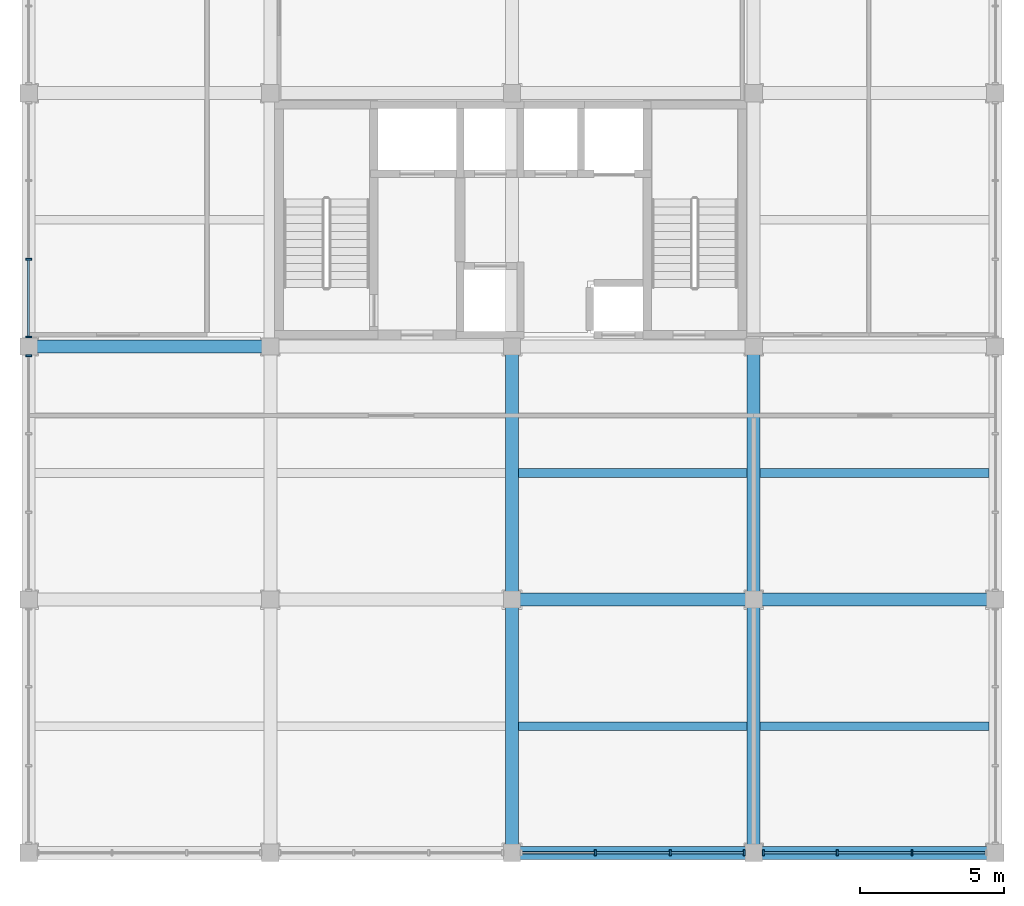
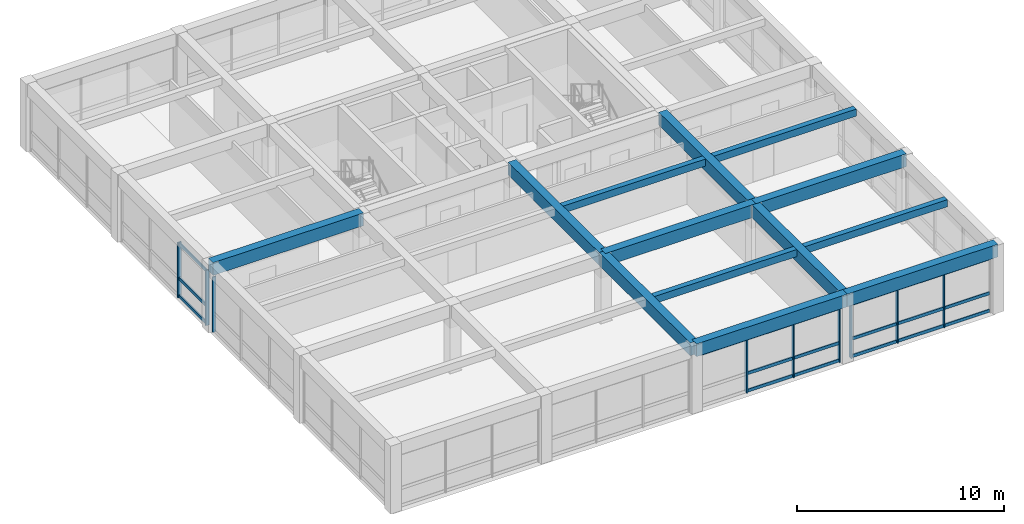
# One storey, part 3 of 14: 28 members, 13 beams, 4 elements without a shape of their own.
"""IFC4 building model written with IfcOpenShell, lengths in metres."""

from ifc_helpers import new_model, si_unit, direction, frame, origin, origin_2d, place, context, subcontext, project, spatial, rectangle, extrude, material, material_profile, profile_set, type_object, element, aggregate, save


model = new_model("IFC4")

# Units and contexts
model_context = context("Model", 3, precision=1e-05, world=origin(), true_north=direction((0.0, 1.0)))
body_context = subcontext(model_context, "Body", "Model", "MODEL_VIEW")
ifc_project = project(units=[si_unit("LENGTHUNIT", "METRE"), si_unit("AREAUNIT", "SQUARE_METRE"), si_unit("VOLUMEUNIT", "CUBIC_METRE"), si_unit("PLANEANGLEUNIT", "RADIAN"), si_unit("MASSUNIT", "GRAM", prefix="KILO")], contexts=[model_context])

# Site, building, storey
site_placement = place(None, origin())
site = spatial("IfcSite", under=ifc_project, at=site_placement, CompositionType="ELEMENT")
building_placement = place(site_placement, origin())
building = spatial("IfcBuilding", under=site, at=building_placement, Name="Kemercrest Conservatory and Botanical Centre", CompositionType="ELEMENT")
storey_placement = place(building_placement, frame((0.0, 0.0, 59.800048828125)))
storey = spatial("IfcBuildingStorey", under=building, at=storey_placement, Name="L15", CompositionType="ELEMENT", Elevation=59.800048828125)

# Beams
ifc_material_1 = material(Name="Concrete C40/50", Category="concrete")
ifc_material_profile_1 = material_profile(ifc_material_1, rectangle(XDim=0.449951171875, YDim=0.75, at=origin_2d()), Name="RC 450x750")
ifc_profile_set_1 = profile_set([ifc_material_profile_1], Name="Concrete C40/50")
beam_type_1 = type_object("IfcBeamType", Name="BM-RC75", PredefinedType="BEAM", material=ifc_profile_set_1)
beam_1_placement = place(storey_placement, frame((159.199951171875, 96.0, 3.625), z_axis=(1.0, 0.0, 0.0), x_axis=(0.0, 1.0, 0.0)))
element("IfcBeam", 1, at=beam_1_placement, inside=storey, type_object=beam_type_1, Name="V4-L16 beam BM-RC75 L/19-20", PredefinedType="BEAM", context=body_context, shape_type="SweptSolid", body=[
    extrude(rectangle(XDim=0.449951171875, YDim=0.75, at=origin_2d()), origin(), (0.0, 0.0, 1.0), 8.400146484375),
])
beam_2_placement = place(storey_placement, frame((167.60009765625, 96.0, 3.625), z_axis=(1.0, 0.0, 0.0), x_axis=(0.0, 1.0, 0.0)))
element("IfcBeam", 2, at=beam_2_placement, inside=storey, type_object=beam_type_1, Name="V4-L16 beam BM-RC75 L/20-21", PredefinedType="BEAM", context=body_context, shape_type="SweptSolid", body=[
    extrude(rectangle(XDim=0.449951171875, YDim=0.75, at=origin_2d()), origin(), (0.0, 0.0, 1.0), 8.39990234375),
])
beam_3_placement = place(storey_placement, frame((142.39990234375, 104.800048828125, 3.625), z_axis=(1.0, 0.0, 0.0), x_axis=(0.0, 1.0, 0.0)))
element("IfcBeam", 3, at=beam_3_placement, inside=storey, type_object=beam_type_1, Name="V4-L16 beam BM-RC75 M/17-18", PredefinedType="BEAM", context=body_context, shape_type="SweptSolid", body=[
    extrude(rectangle(XDim=0.449951171875, YDim=0.75, at=origin_2d()), origin(), (0.0, 0.0, 1.0), 8.400146484375),
])
for number, where, z_axis, x_axis, name in (
    (4, (159.199951171875, 87.199951171875, 3.625), (0.0, 1.0, 0.0), (-1.0, 0.0, 0.0), "V4-L16 beam BM-RC75 19/K-L"),
    (5, (159.199951171875, 96.0, 3.625), (0.0, 1.0, 0.0), (-1.0, 0.0, 0.0), "V4-L16 beam BM-RC75 19/L-M"),
    (6, (167.60009765625, 87.199951171875, 3.625), (0.0, 1.0, 0.0), (-1.0, 0.0, 0.0), "V4-L16 beam BM-RC75 20/K-L"),
    (7, (167.60009765625, 96.0, 3.625), (0.0, 1.0, 0.0), (-1.0, 0.0, 0.0), "V4-L16 beam BM-RC75 20/L-M"),
):
    element("IfcBeam", number, at=place(storey_placement, frame(where, z_axis=z_axis, x_axis=x_axis)), inside=storey, type_object=beam_type_1, Name=name, PredefinedType="BEAM", context=body_context, shape_type="SweptSolid", body=[
        extrude(rectangle(XDim=0.449951171875, YDim=0.75, at=origin_2d()), origin(), (0.0, 0.0, 1.0), 8.800048828125),
    ])

# Curtain wall, members
ifc_material_2 = material(Name="Thermally broken aluminium and triple low-e glazing", Category="aluminium")
curtain_wall_type_1 = type_object("IfcCurtainWallType", Name="CW-28", PredefinedType="USERDEFINED", material=ifc_material_2)
curtain_wall_1_placement = place(storey_placement, origin())
curtain_wall_1 = element("IfcCurtainWall", 8, at=curtain_wall_1_placement, inside=storey, type_object=curtain_wall_type_1, Name="Unitised curtain wall CW-28 (CW:L15:V4-147)", ObjectType="UNITISED CURTAIN WALL", PredefinedType="USERDEFINED")
ifc_material_3 = material(Name="Thermally broken anodized aluminium 6063-T6", Category="aluminium")
ifc_material_profile_2 = material_profile(ifc_material_3, rectangle(XDim=0.199951171875, YDim=0.06494140625, at=origin_2d()), Name="AL MULLION 65x200")
ifc_profile_set_2 = profile_set([ifc_material_profile_2], Name="Thermally broken anodized aluminium 6063-T6")
member_type_1 = type_object("IfcMemberType", Name="CW-M200", PredefinedType="MULLION", material=ifc_profile_set_2)
member_1_placement = place(storey_placement, frame((162.098388671875, 87.199951171875, 0.0), z_axis=(0.0, 0.0, 1.0), x_axis=(0.0, 1.0, 0.0)))
member_1 = element("IfcMember", 9, at=member_1_placement, type_object=member_type_1, Name="CW-28 mullion 2", PredefinedType="MULLION", context=body_context, shape_type="SweptSolid", body=[
    extrude(rectangle(XDim=0.199951171875, YDim=0.06494140625, at=origin_2d()), origin(), (0.0, 0.0, 1.0), 3.2548828125),
])
member_2_placement = place(storey_placement, frame((164.70166015625, 87.199951171875, 0.0), z_axis=(0.0, 0.0, 1.0), x_axis=(0.0, 1.0, 0.0)))
member_2 = element("IfcMember", 10, at=member_2_placement, type_object=member_type_1, Name="CW-28 mullion 3", PredefinedType="MULLION", context=body_context, shape_type="SweptSolid", body=[
    extrude(rectangle(XDim=0.199951171875, YDim=0.06494140625, at=origin_2d()), origin(), (0.0, 0.0, 1.0), 3.2548828125),
])
member_3_placement = place(storey_placement, frame((167.2724609375, 87.199951171875, 0.0), z_axis=(0.0, 0.0, 1.0), x_axis=(0.0, 1.0, 0.0)))
member_3 = element("IfcMember", 11, at=member_3_placement, type_object=member_type_1, Name="CW-28 mullion 4", PredefinedType="MULLION", context=body_context, shape_type="SweptSolid", body=[
    extrude(rectangle(XDim=0.199951171875, YDim=0.06494140625, at=origin_2d()), origin(), (0.0, 0.0, 1.0), 3.2548828125),
])

curtain_wall_type_2 = type_object("IfcCurtainWallType", Name="CW-29", PredefinedType="USERDEFINED", material=ifc_material_2)
curtain_wall_2_placement = place(storey_placement, origin())
curtain_wall_2 = element("IfcCurtainWall", 12, at=curtain_wall_2_placement, inside=storey, type_object=curtain_wall_type_2, Name="Unitised curtain wall CW-29 (CW:L15:V4-148)", ObjectType="UNITISED CURTAIN WALL", PredefinedType="USERDEFINED")
member_4_placement = place(storey_placement, frame((167.927490234375, 87.199951171875, 0.0), z_axis=(0.0, 0.0, 1.0), x_axis=(0.0, 1.0, 0.0)))
member_4 = element("IfcMember", 13, at=member_4_placement, type_object=member_type_1, Name="CW-29 mullion 1", PredefinedType="MULLION", context=body_context, shape_type="SweptSolid", body=[
    extrude(rectangle(XDim=0.199951171875, YDim=0.06494140625, at=origin_2d()), origin(), (0.0, 0.0, 1.0), 3.2548828125),
])
member_5_placement = place(storey_placement, frame((170.498291015625, 87.199951171875, 0.0), z_axis=(0.0, 0.0, 1.0), x_axis=(0.0, 1.0, 0.0)))
member_5 = element("IfcMember", 14, at=member_5_placement, type_object=member_type_1, Name="CW-29 mullion 2", PredefinedType="MULLION", context=body_context, shape_type="SweptSolid", body=[
    extrude(rectangle(XDim=0.199951171875, YDim=0.06494140625, at=origin_2d()), origin(), (0.0, 0.0, 1.0), 3.2548828125),
])
member_6_placement = place(storey_placement, frame((173.1015625, 87.199951171875, 0.0), z_axis=(0.0, 0.0, 1.0), x_axis=(0.0, 1.0, 0.0)))
member_6 = element("IfcMember", 15, at=member_6_placement, type_object=member_type_1, Name="CW-29 mullion 3", PredefinedType="MULLION", context=body_context, shape_type="SweptSolid", body=[
    extrude(rectangle(XDim=0.199951171875, YDim=0.06494140625, at=origin_2d()), origin(), (0.0, 0.0, 1.0), 3.2548828125),
])

curtain_wall_type_3 = type_object("IfcCurtainWallType", Name="CW-09", PredefinedType="USERDEFINED", material=ifc_material_2)
curtain_wall_3_placement = place(storey_placement, origin())
curtain_wall_3 = element("IfcCurtainWall", 16, at=curtain_wall_3_placement, inside=storey, type_object=curtain_wall_type_3, Name="Unitised curtain wall CW-09 (CW:L15:V4-158)", ObjectType="UNITISED CURTAIN WALL", PredefinedType="USERDEFINED")
member_7_placement = place(storey_placement, frame((142.39990234375, 107.831787109375, 0.0), z_axis=(0.0, 0.0, 1.0), x_axis=(1.0, 0.0, 0.0)))
member_7 = element("IfcMember", 17, at=member_7_placement, type_object=member_type_1, Name="CW-09 mullion 3", PredefinedType="MULLION", context=body_context, shape_type="SweptSolid", body=[
    extrude(rectangle(XDim=0.199951171875, YDim=0.06494140625, at=origin_2d()), origin(), (0.0, 0.0, 1.0), 3.2548828125),
])
member_8_placement = place(storey_placement, frame((142.39990234375, 105.12744140625, 0.0), z_axis=(0.0, 0.0, 1.0), x_axis=(1.0, 0.0, 0.0)))
member_8 = element("IfcMember", 18, at=member_8_placement, type_object=member_type_1, Name="CW-09 mullion 4", PredefinedType="MULLION", context=body_context, shape_type="SweptSolid", body=[
    extrude(rectangle(XDim=0.199951171875, YDim=0.06494140625, at=origin_2d()), origin(), (0.0, 0.0, 1.0), 3.2548828125),
])

# Curtain wall, member
curtain_wall_type_4 = type_object("IfcCurtainWallType", Name="CW-10", PredefinedType="USERDEFINED", material=ifc_material_2)
curtain_wall_4_placement = place(storey_placement, origin())
curtain_wall_4 = element("IfcCurtainWall", 19, at=curtain_wall_4_placement, inside=storey, type_object=curtain_wall_type_4, Name="Unitised curtain wall CW-10 (CW:L15:V4-159)", ObjectType="UNITISED CURTAIN WALL", PredefinedType="USERDEFINED")
member_9_placement = place(storey_placement, frame((142.39990234375, 104.472412109375, 0.0), z_axis=(0.0, 0.0, 1.0), x_axis=(1.0, 0.0, 0.0)))
member_9 = element("IfcMember", 20, at=member_9_placement, type_object=member_type_1, Name="CW-10 mullion 1", PredefinedType="MULLION", context=body_context, shape_type="SweptSolid", body=[
    extrude(rectangle(XDim=0.199951171875, YDim=0.06494140625, at=origin_2d()), origin(), (0.0, 0.0, 1.0), 3.2548828125),
])
aggregate(curtain_wall_4, [member_9])

# Member
ifc_material_profile_3 = material_profile(ifc_material_3, rectangle(XDim=0.074951171875, YDim=0.179931640625, at=origin_2d()), Name="AL TRANSOM 75x180")
ifc_profile_set_3 = profile_set([ifc_material_profile_3], Name="Thermally broken anodized aluminium 6063-T6")
member_type_2 = type_object("IfcMemberType", Name="CW-T180", PredefinedType="USERDEFINED", material=ifc_profile_set_3)
member_10_placement = place(storey_placement, frame((159.56005859375, 87.199951171875, 3.1650390625), z_axis=(1.0, 0.0, 0.0), x_axis=(0.0, 1.0, 0.0)))
member_10 = element("IfcMember", 21, at=member_10_placement, type_object=member_type_2, Name="CW-28 transom 1.3", ObjectType="TRANSOM", PredefinedType="USERDEFINED", context=body_context, shape_type="SweptSolid", body=[
    extrude(rectangle(XDim=0.074951171875, YDim=0.179931640625, at=origin_2d()), origin(), (0.0, 0.0, 1.0), 2.505859375),
])

member_11_placement = place(storey_placement, frame((162.130859375, 87.199951171875, 0.08984375), z_axis=(1.0, 0.0, 0.0), x_axis=(0.0, 1.0, 0.0)))
member_11 = element("IfcMember", 22, at=member_11_placement, type_object=member_type_2, Name="CW-28 transom 2.1", ObjectType="TRANSOM", PredefinedType="USERDEFINED", context=body_context, shape_type="SweptSolid", body=[
    extrude(rectangle(XDim=0.074951171875, YDim=0.179931640625, at=origin_2d()), origin(), (0.0, 0.0, 1.0), 2.538330078125),
])

member_12_placement = place(storey_placement, frame((162.130859375, 87.199951171875, 1.119873046875), z_axis=(1.0, 0.0, 0.0), x_axis=(0.0, 1.0, 0.0)))
member_12 = element("IfcMember", 23, at=member_12_placement, type_object=member_type_2, Name="CW-28 transom 2.2", ObjectType="TRANSOM", PredefinedType="USERDEFINED", context=body_context, shape_type="SweptSolid", body=[
    extrude(rectangle(XDim=0.074951171875, YDim=0.179931640625, at=origin_2d()), origin(), (0.0, 0.0, 1.0), 2.538330078125),
])

member_13_placement = place(storey_placement, frame((162.130859375, 87.199951171875, 3.1650390625), z_axis=(1.0, 0.0, 0.0), x_axis=(0.0, 1.0, 0.0)))
member_13 = element("IfcMember", 24, at=member_13_placement, type_object=member_type_2, Name="CW-28 transom 2.3", ObjectType="TRANSOM", PredefinedType="USERDEFINED", context=body_context, shape_type="SweptSolid", body=[
    extrude(rectangle(XDim=0.074951171875, YDim=0.179931640625, at=origin_2d()), origin(), (0.0, 0.0, 1.0), 2.538330078125),
])

member_14_placement = place(storey_placement, frame((164.734130859375, 87.199951171875, 0.08984375), z_axis=(1.0, 0.0, 0.0), x_axis=(0.0, 1.0, 0.0)))
member_14 = element("IfcMember", 25, at=member_14_placement, type_object=member_type_2, Name="CW-28 transom 3.1", ObjectType="TRANSOM", PredefinedType="USERDEFINED", context=body_context, shape_type="SweptSolid", body=[
    extrude(rectangle(XDim=0.074951171875, YDim=0.179931640625, at=origin_2d()), origin(), (0.0, 0.0, 1.0), 2.505859375),
])

member_15_placement = place(storey_placement, frame((164.734130859375, 87.199951171875, 1.119873046875), z_axis=(1.0, 0.0, 0.0), x_axis=(0.0, 1.0, 0.0)))
member_15 = element("IfcMember", 26, at=member_15_placement, type_object=member_type_2, Name="CW-28 transom 3.2", ObjectType="TRANSOM", PredefinedType="USERDEFINED", context=body_context, shape_type="SweptSolid", body=[
    extrude(rectangle(XDim=0.074951171875, YDim=0.179931640625, at=origin_2d()), origin(), (0.0, 0.0, 1.0), 2.505859375),
])

member_16_placement = place(storey_placement, frame((164.734130859375, 87.199951171875, 3.1650390625), z_axis=(1.0, 0.0, 0.0), x_axis=(0.0, 1.0, 0.0)))
member_16 = element("IfcMember", 27, at=member_16_placement, type_object=member_type_2, Name="CW-28 transom 3.3", ObjectType="TRANSOM", PredefinedType="USERDEFINED", context=body_context, shape_type="SweptSolid", body=[
    extrude(rectangle(XDim=0.074951171875, YDim=0.179931640625, at=origin_2d()), origin(), (0.0, 0.0, 1.0), 2.505859375),
])

aggregate(curtain_wall_1, [member_1, member_2, member_3, member_10, member_11, member_12, member_13, member_14, member_15, member_16])

member_17_placement = place(storey_placement, frame((167.9599609375, 87.199951171875, 0.08984375), z_axis=(1.0, 0.0, 0.0), x_axis=(0.0, 1.0, 0.0)))
member_17 = element("IfcMember", 28, at=member_17_placement, type_object=member_type_2, Name="CW-29 transom 1.1", ObjectType="TRANSOM", PredefinedType="USERDEFINED", context=body_context, shape_type="SweptSolid", body=[
    extrude(rectangle(XDim=0.074951171875, YDim=0.179931640625, at=origin_2d()), origin(), (0.0, 0.0, 1.0), 2.505859375),
])

member_18_placement = place(storey_placement, frame((167.9599609375, 87.199951171875, 1.119873046875), z_axis=(1.0, 0.0, 0.0), x_axis=(0.0, 1.0, 0.0)))
member_18 = element("IfcMember", 29, at=member_18_placement, type_object=member_type_2, Name="CW-29 transom 1.2", ObjectType="TRANSOM", PredefinedType="USERDEFINED", context=body_context, shape_type="SweptSolid", body=[
    extrude(rectangle(XDim=0.074951171875, YDim=0.179931640625, at=origin_2d()), origin(), (0.0, 0.0, 1.0), 2.505859375),
])

member_19_placement = place(storey_placement, frame((167.9599609375, 87.199951171875, 3.1650390625), z_axis=(1.0, 0.0, 0.0), x_axis=(0.0, 1.0, 0.0)))
member_19 = element("IfcMember", 30, at=member_19_placement, type_object=member_type_2, Name="CW-29 transom 1.3", ObjectType="TRANSOM", PredefinedType="USERDEFINED", context=body_context, shape_type="SweptSolid", body=[
    extrude(rectangle(XDim=0.074951171875, YDim=0.179931640625, at=origin_2d()), origin(), (0.0, 0.0, 1.0), 2.505859375),
])

member_20_placement = place(storey_placement, frame((170.53076171875, 87.199951171875, 0.08984375), z_axis=(1.0, 0.0, 0.0), x_axis=(0.0, 1.0, 0.0)))
member_20 = element("IfcMember", 31, at=member_20_placement, type_object=member_type_2, Name="CW-29 transom 2.1", ObjectType="TRANSOM", PredefinedType="USERDEFINED", context=body_context, shape_type="SweptSolid", body=[
    extrude(rectangle(XDim=0.074951171875, YDim=0.179931640625, at=origin_2d()), origin(), (0.0, 0.0, 1.0), 2.538330078125),
])

member_21_placement = place(storey_placement, frame((170.53076171875, 87.199951171875, 1.119873046875), z_axis=(1.0, 0.0, 0.0), x_axis=(0.0, 1.0, 0.0)))
member_21 = element("IfcMember", 32, at=member_21_placement, type_object=member_type_2, Name="CW-29 transom 2.2", ObjectType="TRANSOM", PredefinedType="USERDEFINED", context=body_context, shape_type="SweptSolid", body=[
    extrude(rectangle(XDim=0.074951171875, YDim=0.179931640625, at=origin_2d()), origin(), (0.0, 0.0, 1.0), 2.538330078125),
])

member_22_placement = place(storey_placement, frame((170.53076171875, 87.199951171875, 3.1650390625), z_axis=(1.0, 0.0, 0.0), x_axis=(0.0, 1.0, 0.0)))
member_22 = element("IfcMember", 33, at=member_22_placement, type_object=member_type_2, Name="CW-29 transom 2.3", ObjectType="TRANSOM", PredefinedType="USERDEFINED", context=body_context, shape_type="SweptSolid", body=[
    extrude(rectangle(XDim=0.074951171875, YDim=0.179931640625, at=origin_2d()), origin(), (0.0, 0.0, 1.0), 2.538330078125),
])

member_23_placement = place(storey_placement, frame((173.13427734375, 87.199951171875, 0.08984375), z_axis=(1.0, 0.0, 0.0), x_axis=(0.0, 1.0, 0.0)))
member_23 = element("IfcMember", 34, at=member_23_placement, type_object=member_type_2, Name="CW-29 transom 3.1", ObjectType="TRANSOM", PredefinedType="USERDEFINED", context=body_context, shape_type="SweptSolid", body=[
    extrude(rectangle(XDim=0.074951171875, YDim=0.179931640625, at=origin_2d()), origin(), (0.0, 0.0, 1.0), 2.505615234375),
])

member_24_placement = place(storey_placement, frame((173.13427734375, 87.199951171875, 1.119873046875), z_axis=(1.0, 0.0, 0.0), x_axis=(0.0, 1.0, 0.0)))
member_24 = element("IfcMember", 35, at=member_24_placement, type_object=member_type_2, Name="CW-29 transom 3.2", ObjectType="TRANSOM", PredefinedType="USERDEFINED", context=body_context, shape_type="SweptSolid", body=[
    extrude(rectangle(XDim=0.074951171875, YDim=0.179931640625, at=origin_2d()), origin(), (0.0, 0.0, 1.0), 2.505615234375),
])

member_25_placement = place(storey_placement, frame((173.13427734375, 87.199951171875, 3.1650390625), z_axis=(1.0, 0.0, 0.0), x_axis=(0.0, 1.0, 0.0)))
member_25 = element("IfcMember", 36, at=member_25_placement, type_object=member_type_2, Name="CW-29 transom 3.3", ObjectType="TRANSOM", PredefinedType="USERDEFINED", context=body_context, shape_type="SweptSolid", body=[
    extrude(rectangle(XDim=0.074951171875, YDim=0.179931640625, at=origin_2d()), origin(), (0.0, 0.0, 1.0), 2.505615234375),
])

aggregate(curtain_wall_2, [member_4, member_5, member_6, member_17, member_18, member_19, member_20, member_21, member_22, member_23, member_24, member_25])

member_26_placement = place(storey_placement, frame((142.39990234375, 107.799072265625, 0.08984375), z_axis=(0.0, -1.0, 0.0), x_axis=(1.0, 0.0, 0.0)))
member_26 = element("IfcMember", 37, at=member_26_placement, type_object=member_type_2, Name="CW-09 transom 3.1", ObjectType="TRANSOM", PredefinedType="USERDEFINED", context=body_context, shape_type="SweptSolid", body=[
    extrude(rectangle(XDim=0.074951171875, YDim=0.179931640625, at=origin_2d()), origin(), (0.0, 0.0, 1.0), 2.63916015625),
])

member_27_placement = place(storey_placement, frame((142.39990234375, 107.799072265625, 1.119873046875), z_axis=(0.0, -1.0, 0.0), x_axis=(1.0, 0.0, 0.0)))
member_27 = element("IfcMember", 38, at=member_27_placement, type_object=member_type_2, Name="CW-09 transom 3.2", ObjectType="TRANSOM", PredefinedType="USERDEFINED", context=body_context, shape_type="SweptSolid", body=[
    extrude(rectangle(XDim=0.074951171875, YDim=0.179931640625, at=origin_2d()), origin(), (0.0, 0.0, 1.0), 2.63916015625),
])

member_28_placement = place(storey_placement, frame((142.39990234375, 107.799072265625, 3.1650390625), z_axis=(0.0, -1.0, 0.0), x_axis=(1.0, 0.0, 0.0)))
member_28 = element("IfcMember", 39, at=member_28_placement, type_object=member_type_2, Name="CW-09 transom 3.3", ObjectType="TRANSOM", PredefinedType="USERDEFINED", context=body_context, shape_type="SweptSolid", body=[
    extrude(rectangle(XDim=0.074951171875, YDim=0.179931640625, at=origin_2d()), origin(), (0.0, 0.0, 1.0), 2.63916015625),
])

aggregate(curtain_wall_3, [member_7, member_8, member_26, member_27, member_28])

# Beams
ifc_material_profile_4 = material_profile(ifc_material_1, rectangle(XDim=0.300048828125, YDim=0.419921875, at=origin_2d()), Name="RC 300x420")
ifc_profile_set_4 = profile_set([ifc_material_profile_4], Name="Concrete C40/50")
beam_type_2 = type_object("IfcBeamType", Name="JS-RC42", PredefinedType="JOIST", material=ifc_profile_set_4)
for number, where, z_axis, x_axis, name in (
    (40, (159.425048828125, 91.60009765625, 3.7900390625), (1.0, 0.0, 0.0), (0.0, 1.0, 0.0), "V4-L16 secondary joist JS-RC42"),
    (41, (167.824951171875, 91.60009765625, 3.7900390625), (1.0, 0.0, 0.0), (0.0, 1.0, 0.0), "V4-L16 secondary joist JS-RC42"),
    (42, (159.425048828125, 100.39990234375, 3.7900390625), (1.0, 0.0, 0.0), (0.0, 1.0, 0.0), "V4-L16 secondary joist JS-RC42"),
    (43, (167.824951171875, 100.39990234375, 3.7900390625), (1.0, 0.0, 0.0), (0.0, 1.0, 0.0), "V4-L16 secondary joist JS-RC42"),
):
    element("IfcBeam", number, at=place(storey_placement, frame(where, z_axis=z_axis, x_axis=x_axis)), inside=storey, type_object=beam_type_2, Name=name, PredefinedType="JOIST", context=body_context, shape_type="SweptSolid", body=[
        extrude(rectangle(XDim=0.300048828125, YDim=0.419921875, at=origin_2d()), origin(), (0.0, 0.0, 1.0), 7.949951171875),
    ])
ifc_material_profile_5 = material_profile(ifc_material_1, rectangle(XDim=0.449951171875, YDim=0.75, at=origin_2d()), Name="RC 450x750")
ifc_profile_set_5 = profile_set([ifc_material_profile_5], Name="Concrete C40/50")
beam_type_3 = type_object("IfcBeamType", Name="SP-RC75", PredefinedType="SPANDREL", material=ifc_profile_set_5)
beam_4_placement = place(storey_placement, frame((159.199951171875, 87.199951171875, 3.625), z_axis=(1.0, 0.0, 0.0), x_axis=(0.0, 1.0, 0.0)))
element("IfcBeam", 44, at=beam_4_placement, inside=storey, type_object=beam_type_3, Name="V4-L16 beam SP-RC75 K/19-20", PredefinedType="SPANDREL", context=body_context, shape_type="SweptSolid", body=[
    extrude(rectangle(XDim=0.449951171875, YDim=0.75, at=origin_2d()), origin(), (0.0, 0.0, 1.0), 8.400146484375),
])
beam_5_placement = place(storey_placement, frame((167.60009765625, 87.199951171875, 3.625), z_axis=(1.0, 0.0, 0.0), x_axis=(0.0, 1.0, 0.0)))
element("IfcBeam", 45, at=beam_5_placement, inside=storey, type_object=beam_type_3, Name="V4-L16 beam SP-RC75 K/20-21", PredefinedType="SPANDREL", context=body_context, shape_type="SweptSolid", body=[
    extrude(rectangle(XDim=0.449951171875, YDim=0.75, at=origin_2d()), origin(), (0.0, 0.0, 1.0), 8.39990234375),
])

save(model, "model.ifc")
